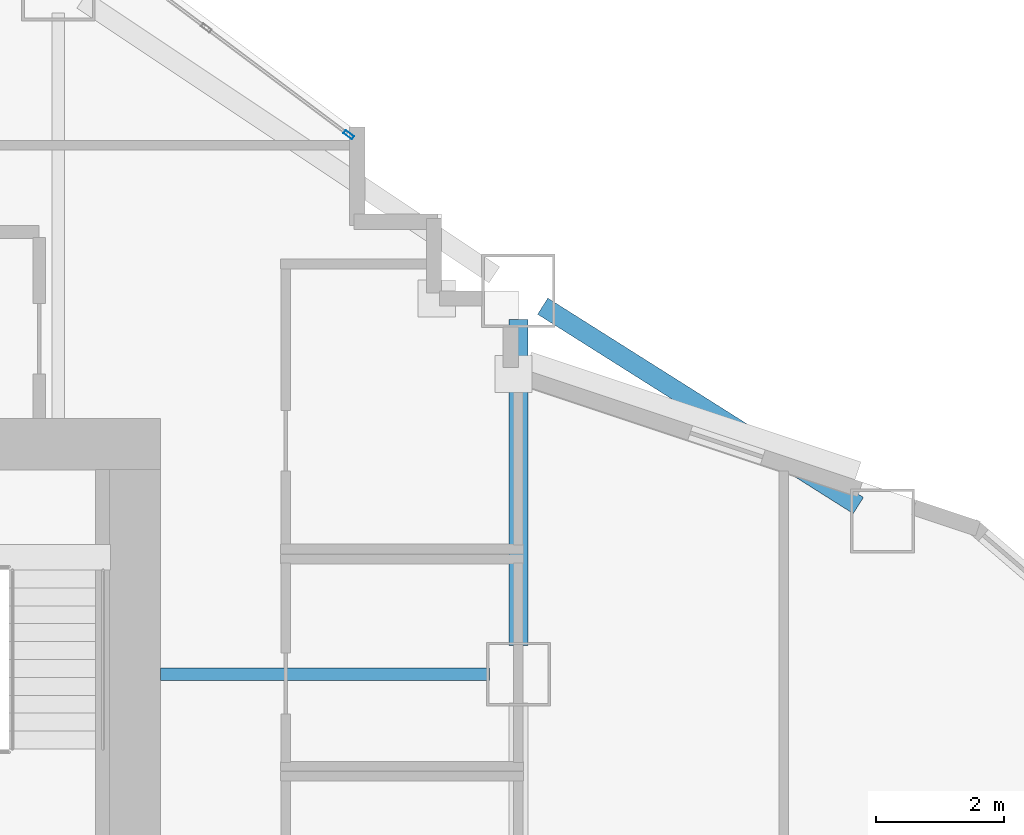
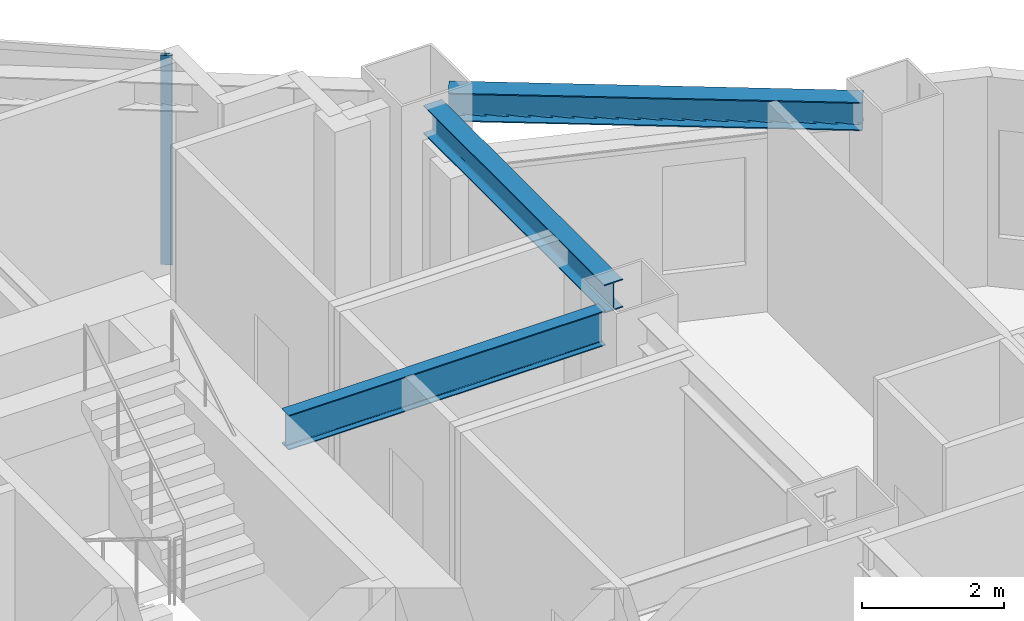
# One storey, part 5 of 16: 3 beams, 1 member, 1 element without a shape of its own.
"""IFC4 building model written with IfcOpenShell, lengths in metres."""

from ifc_helpers import new_model, si_unit, direction, frame, origin, origin_2d, place, context, subcontext, project, spatial, hollow_rectangle, i_section, extrude, material, layer, layer_set, material_profile, profile_set, type_object, element, aggregate, save


model = new_model("IFC4")

# Units and contexts
model_context = context("Model", 3, precision=1e-05, world=origin(), true_north=direction((0.0, 1.0)))
body_context = subcontext(model_context, "Body", "Model", "MODEL_VIEW")
ifc_project = project(units=[si_unit("LENGTHUNIT", "METRE"), si_unit("AREAUNIT", "SQUARE_METRE"), si_unit("VOLUMEUNIT", "CUBIC_METRE"), si_unit("PLANEANGLEUNIT", "RADIAN"), si_unit("MASSUNIT", "GRAM", prefix="KILO")], contexts=[model_context])

# Site, building, storey
site_placement = place(None, origin())
site = spatial("IfcSite", under=ifc_project, at=site_placement, CompositionType="ELEMENT")
building_placement = place(site_placement, origin())
building = spatial("IfcBuilding", under=site, at=building_placement, Name="Haolan Belvedere Tower", CompositionType="ELEMENT")
storey_placement = place(building_placement, frame((0.0, 0.0, 78.0)))
storey = spatial("IfcBuildingStorey", under=building, at=storey_placement, Name="L19", CompositionType="ELEMENT", Elevation=78.0)

# Beams
ifc_material_1 = material(Name="Steel Q355B", Category="steel")
ifc_material_profile_1 = material_profile(ifc_material_1, i_section(OverallWidth=0.300048828125, OverallDepth=0.488037109375, WebThickness=0.010986328125, FlangeThickness=0.01806640625, FilletRadius=0.02587890625, at=origin_2d()), Name="Steel Q355B")
ifc_profile_set_1 = profile_set([ifc_material_profile_1], Name="Steel Q355B")
beam_type_1 = type_object("IfcBeamType", Name="BM-HM488x300x11x18", PredefinedType="SPANDREL", material=ifc_profile_set_1)
beam_1_placement = place(storey_placement, frame((52.800048828125, 40.050048828125, 3.35595703125), z_axis=(0.0, 1.0, 0.0), x_axis=(-1.0, 0.0, 0.0)))
element("IfcBeam", 1, at=beam_1_placement, inside=storey, type_object=beam_type_1, Name="L19 spandrel girder TC-T3-E2-MC-T3-NE", PredefinedType="SPANDREL", context=body_context, shape_type="SweptSolid", body=[
    extrude(i_section(OverallWidth=0.300048828125, OverallDepth=0.488037109375, WebThickness=0.010986328125, FlangeThickness=0.01806640625, FilletRadius=0.02587890625, at=origin_2d()), origin(), (0.0, 0.0, 1.0), 5.099853515625),
])
beam_2_placement = place(storey_placement, frame((53.180419921875, 45.359619140625, 3.35595703125), z_axis=(0.845497840649, -0.533978839898, 0.0), x_axis=(0.533978839898, 0.845497840649, 0.0)))
element("IfcBeam", 2, at=beam_2_placement, inside=storey, type_object=beam_type_1, Name="L19 spandrel girder MC-T3-NE-TC-T4-N1", PredefinedType="SPANDREL", context=body_context, shape_type="SweptSolid", body=[
    extrude(i_section(OverallWidth=0.300048828125, OverallDepth=0.488037109375, WebThickness=0.010986328125, FlangeThickness=0.01806640625, FilletRadius=0.02587890625, at=origin_2d()), origin(), (0.0, 0.0, 1.0), 5.841796875),
])
ifc_material_profile_2 = material_profile(ifc_material_1, i_section(OverallWidth=0.199951171875, OverallDepth=0.60009765625, WebThickness=0.010986328125, FlangeThickness=0.01708984375, FilletRadius=0.02197265625, at=origin_2d()), Name="Steel Q355B")
ifc_profile_set_2 = profile_set([ifc_material_profile_2], Name="Steel Q355B")
beam_type_2 = type_object("IfcBeamType", Name="BM-HN600x200x11x17", PredefinedType="BEAM", material=ifc_profile_set_2)
beam_3_placement = place(storey_placement, frame((52.35009765625, 39.60009765625, 3.300048828125), z_axis=(-1.0, 0.0, 0.0), x_axis=(0.0, -1.0, 0.0)))
element("IfcBeam", 3, at=beam_3_placement, inside=storey, type_object=beam_type_2, Name="L19 core tie beam from TC-T3-E2", PredefinedType="BEAM", context=body_context, shape_type="SweptSolid", body=[
    extrude(i_section(OverallWidth=0.199951171875, OverallDepth=0.60009765625, WebThickness=0.010986328125, FlangeThickness=0.01708984375, FilletRadius=0.02197265625, at=origin_2d()), origin(), (0.0, 0.0, 1.0), 5.150146484375),
])

# Curtain wall, member
ifc_material_2 = material(Name="Anodised champagne-silver aluminium 6063-T6 and Low-E glass", Category="aluminium")
ifc_layer = layer(ifc_material_2, 0.1650390625, Name="Anodised champagne-silver aluminium 6063-T6 and Low-E glass")
ifc_layer_set = layer_set([ifc_layer], Name="Anodised champagne-silver aluminium 6063-T6 and Low-E glass")
curtain_wall_type = type_object("IfcCurtainWallType", Name="CW-SYS-02", PredefinedType="NOTDEFINED", material=ifc_layer_set)
curtain_wall_placement = place(storey_placement, origin())
curtain_wall = element("IfcCurtainWall", 4, at=curtain_wall_placement, inside=storey, type_object=curtain_wall_type, Name="L19 CW-SYS-02 ribbon curtain wall 41.1", PredefinedType="NOTDEFINED")
ifc_material_3 = material(Name="Anodised aluminium 6063-T6", Category="aluminium")
ifc_material_profile_3 = material_profile(ifc_material_3, hollow_rectangle(XDim=0.06005859375, YDim=0.1650390625, WallThickness=0.00390625, at=origin_2d()), Name="Anodised aluminium 6063-T6")
ifc_profile_set_3 = profile_set([ifc_material_profile_3], Name="Anodised aluminium 6063-T6")
member_type = type_object("IfcMemberType", Name="CW-SYS-02-MUL", PredefinedType="MULLION", material=ifc_profile_set_3)
member_placement = place(storey_placement, frame((50.14404296875, 48.0419921875, 0.0), z_axis=(0.0, 0.0, 1.0), x_axis=(-0.599994316874, -0.800004262313, 0.0)))
member = element("IfcMember", 5, at=member_placement, type_object=member_type, Name="CW-02 mullion 1", PredefinedType="MULLION", context=body_context, shape_type="SweptSolid", body=[
    extrude(hollow_rectangle(XDim=0.06005859375, YDim=0.1650390625, WallThickness=0.00390625, at=origin_2d()), origin(), (0.0, 0.0, 1.0), 3.60009765625),
])
aggregate(curtain_wall, [member])

save(model, "model.ifc")
